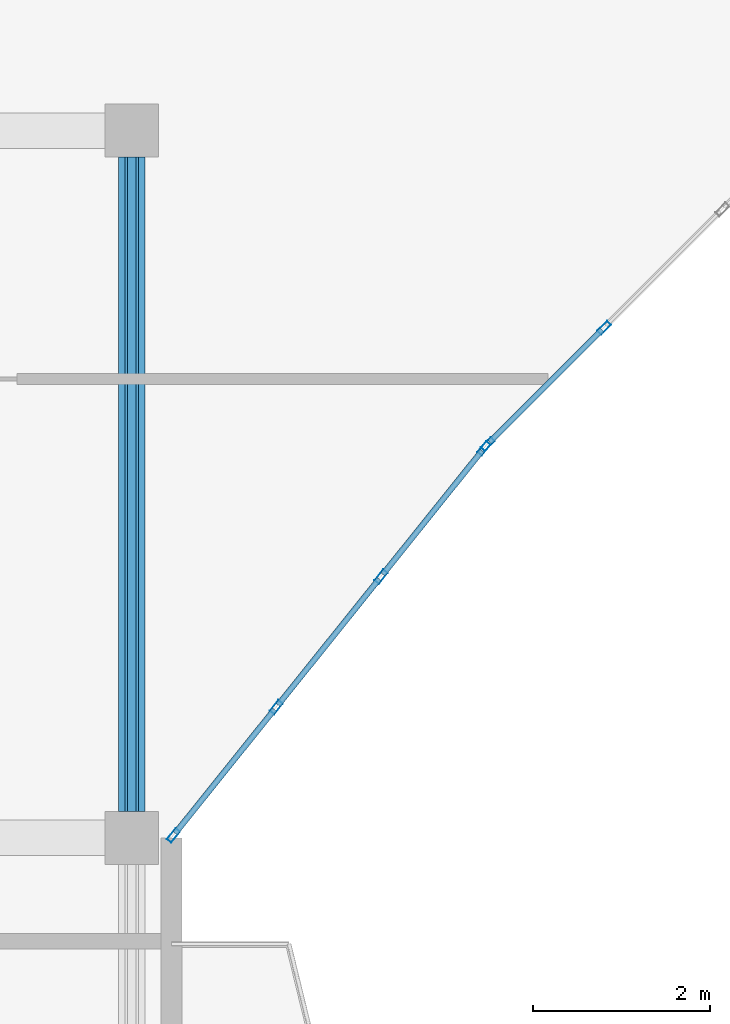
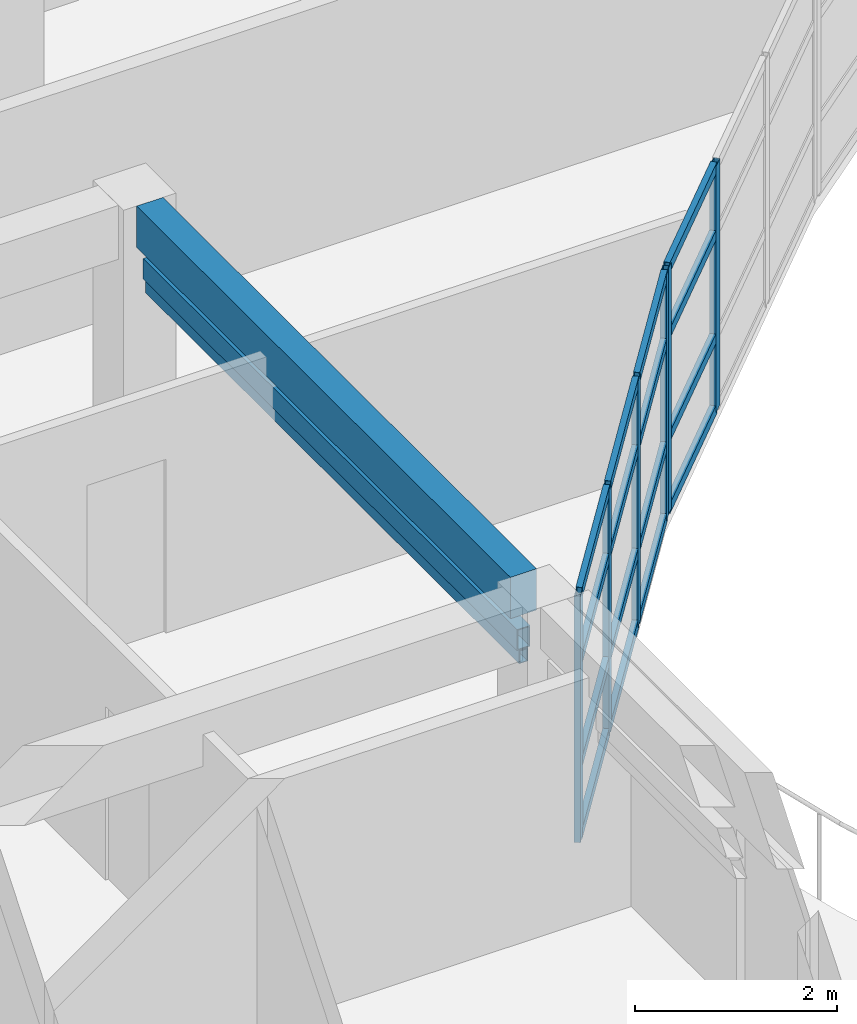
# One storey, part 6 of 71: 24 members, 1 beam, 2 elements without a shape of their own.
"""IFC4 building model written with IfcOpenShell, lengths in metres."""

from ifc_helpers import new_model, si_unit, direction, frame, origin, origin_2d, place, context, subcontext, project, spatial, rectangle, hollow_rectangle, extrude, material, layer, layer_set, material_profile, profile_set, type_object, element, aggregate, save


model = new_model("IFC4")

# Units and contexts
model_context = context("Model", 3, precision=1e-05, world=origin(), true_north=direction((0.0, 1.0)))
body_context = subcontext(model_context, "Body", "Model", "MODEL_VIEW")
ifc_project = project(units=[si_unit("LENGTHUNIT", "METRE"), si_unit("AREAUNIT", "SQUARE_METRE"), si_unit("VOLUMEUNIT", "CUBIC_METRE"), si_unit("PLANEANGLEUNIT", "RADIAN"), si_unit("MASSUNIT", "GRAM", prefix="KILO")], contexts=[model_context])

# Site, building, storey
site_placement = place(None, origin())
site = spatial("IfcSite", under=ifc_project, at=site_placement, CompositionType="ELEMENT")
building_placement = place(site_placement, origin())
building = spatial("IfcBuilding", under=site, at=building_placement, Name="Keldmere Railside Commons", CompositionType="ELEMENT")
storey_placement = place(building_placement, frame((0.0, 0.0, 20.159912109375)))
storey = spatial("IfcBuildingStorey", under=building, at=storey_placement, Name="L06", CompositionType="ELEMENT", Elevation=20.159912109375)

# Member
ifc_material_1 = material(Name="Steel F-36 (S355)", Category="steel")
ifc_material_profile_1 = material_profile(ifc_material_1, hollow_rectangle(XDim=0.14990234375, YDim=0.25, WallThickness=0.010009765625, at=origin_2d()), Name="RHS-250x150x10")
ifc_profile_set_1 = profile_set([ifc_material_profile_1], Name="Steel F-36 (S355)")
member_type_1 = type_object("IfcMemberType", Name="Balcony Continuous Planted Trough RHS250x150", PredefinedType="CHORD", material=ifc_profile_set_1)
member_1_placement = place(storey_placement, frame((63.550048828125, 88.300048828125, 2.4150390625), z_axis=(0.0, 1.0, 0.0), x_axis=(-1.0, 0.0, 0.0)))
element("IfcMember", 1, at=member_1_placement, inside=storey, type_object=member_type_1, Name="PLT-1 MEM-BPLT-0721", PredefinedType="CHORD", context=body_context, shape_type="SweptSolid", body=[
    extrude(hollow_rectangle(XDim=0.14990234375, YDim=0.25, WallThickness=0.010009765625, at=origin_2d()), origin(), (0.0, 0.0, 1.0), 7.39990234375),
])

# Beam
ifc_material_2 = material(Name="Concrete H-30 (C30/37)", Category="concrete")
ifc_material_profile_2 = material_profile(ifc_material_2, rectangle(XDim=0.300048828125, YDim=0.5, at=origin_2d()), Name="RC-300x500")
ifc_profile_set_2 = profile_set([ifc_material_profile_2], Name="Concrete H-30 (C30/37)")
beam_type = type_object("IfcBeamType", Name="Secondary Frame RC Beam 300x500", PredefinedType="BEAM", material=ifc_profile_set_2)
beam_placement = place(storey_placement, frame((63.550048828125, 88.300048828125, 2.9501953125), z_axis=(0.0, 1.0, 0.0), x_axis=(-1.0, 0.0, 0.0)))
element("IfcBeam", 2, at=beam_placement, inside=storey, type_object=beam_type, Name="BG-5 BM-L06-1967", PredefinedType="BEAM", context=body_context, shape_type="SweptSolid", body=[
    extrude(rectangle(XDim=0.300048828125, YDim=0.5, at=origin_2d()), origin(), (0.0, 0.0, 1.0), 7.39990234375),
])

# Member
ifc_material_profile_3 = material_profile(ifc_material_1, hollow_rectangle(XDim=0.10009765625, YDim=0.159912109375, WallThickness=0.008056640625, at=origin_2d()), Name="RHS-160x100x8")
ifc_profile_set_3 = profile_set([ifc_material_profile_3], Name="Steel F-36 (S355)")
member_type_2 = type_object("IfcMemberType", Name="Solar Brise-Soleil Louvre Fin RHS160x100", PredefinedType="STRUT", material=ifc_profile_set_3)
member_2_placement = place(storey_placement, frame((63.550048828125, 88.300048828125, 2.2001953125), z_axis=(0.0, 1.0, 0.0), x_axis=(-1.0, 0.0, 0.0)))
element("IfcMember", 3, at=member_2_placement, inside=storey, type_object=member_type_2, Name="BSF-1 MEM-BSF-0722", PredefinedType="STRUT", context=body_context, shape_type="SweptSolid", body=[
    extrude(hollow_rectangle(XDim=0.10009765625, YDim=0.159912109375, WallThickness=0.008056640625, at=origin_2d()), origin(), (0.0, 0.0, 1.0), 7.39990234375),
])

# Curtain wall, members
ifc_material_3 = material(Name="Thermally Broken Aluminium", Category="aluminium")
ifc_layer_1 = layer(ifc_material_3, 0.159912109375, Name="Court Chord Wintergarden CW 4800x2850")
ifc_layer_set_1 = layer_set([ifc_layer_1], Name="Thermally Broken Aluminium")
curtain_wall_type_1 = type_object("IfcCurtainWallType", Name="Court Chord Wintergarden CW 4800x2850", PredefinedType="NOTDEFINED", material=ifc_layer_set_1)
curtain_wall_1_placement = place(storey_placement, origin())
curtain_wall_1 = element("IfcCurtainWall", 4, at=curtain_wall_1_placement, inside=storey, type_object=curtain_wall_type_1, Name="CW-12 CW-L06-061", PredefinedType="NOTDEFINED")
ifc_material_profile_4 = material_profile(ifc_material_3, hollow_rectangle(XDim=0.06494140625, YDim=0.159912109375, WallThickness=0.00390625, at=origin_2d()), Name="ALU-MULL-65x160")
ifc_profile_set_4 = profile_set([ifc_material_profile_4], Name="Thermally Broken Aluminium")
member_type_3 = type_object("IfcMemberType", Name="Unitised Curtain Wall Mullion 65x160", PredefinedType="MULLION", material=ifc_profile_set_4)
member_3_placement = place(storey_placement, frame((67.53369140625, 92.404541015625, 0.0), z_axis=(0.0, 0.0, 1.0), x_axis=(0.780009172323, -0.625768080915, 0.0)))
member_3 = element("IfcMember", 5, at=member_3_placement, type_object=member_type_3, Name="CW-12 mullion 1", PredefinedType="MULLION", context=body_context, shape_type="SweptSolid", body=[
    extrude(hollow_rectangle(XDim=0.06494140625, YDim=0.159912109375, WallThickness=0.00390625, at=origin_2d()), origin(), (0.0, 0.0, 1.0), 2.97998046875),
])
member_4_placement = place(storey_placement, frame((66.369384765625, 90.953369140625, 0.0), z_axis=(0.0, 0.0, 1.0), x_axis=(0.780009172323, -0.625768080915, 0.0)))
member_4 = element("IfcMember", 6, at=member_4_placement, type_object=member_type_3, Name="CW-12 mullion 2", PredefinedType="MULLION", context=body_context, shape_type="SweptSolid", body=[
    extrude(hollow_rectangle(XDim=0.06494140625, YDim=0.159912109375, WallThickness=0.00390625, at=origin_2d()), origin(), (0.0, 0.0, 1.0), 2.97998046875),
])
member_5_placement = place(storey_placement, frame((65.1845703125, 89.4765625, 0.0), z_axis=(0.0, 0.0, 1.0), x_axis=(0.780009172323, -0.625768080915, 0.0)))
member_5 = element("IfcMember", 7, at=member_5_placement, type_object=member_type_3, Name="CW-12 mullion 3", PredefinedType="MULLION", context=body_context, shape_type="SweptSolid", body=[
    extrude(hollow_rectangle(XDim=0.06494140625, YDim=0.159912109375, WallThickness=0.00390625, at=origin_2d()), origin(), (0.0, 0.0, 1.0), 2.97998046875),
])
member_6_placement = place(storey_placement, frame((64.020263671875, 88.025390625, 0.0), z_axis=(0.0, 0.0, 1.0), x_axis=(0.780009172323, -0.625768080915, 0.0)))
member_6 = element("IfcMember", 8, at=member_6_placement, type_object=member_type_3, Name="CW-12 mullion 4", PredefinedType="MULLION", context=body_context, shape_type="SweptSolid", body=[
    extrude(hollow_rectangle(XDim=0.06494140625, YDim=0.159912109375, WallThickness=0.00390625, at=origin_2d()), origin(), (0.0, 0.0, 1.0), 2.97998046875),
])

ifc_layer_2 = layer(ifc_material_3, 0.159912109375, Name="Court Chord Wintergarden CW 5400x2850")
ifc_layer_set_2 = layer_set([ifc_layer_2], Name="Thermally Broken Aluminium")
curtain_wall_type_2 = type_object("IfcCurtainWallType", Name="Court Chord Wintergarden CW 5400x2850", PredefinedType="NOTDEFINED", material=ifc_layer_set_2)
curtain_wall_2_placement = place(storey_placement, origin())
curtain_wall_2 = element("IfcCurtainWall", 9, at=curtain_wall_2_placement, inside=storey, type_object=curtain_wall_type_2, Name="CW-13 CW-L06-062", PredefinedType="NOTDEFINED")
member_7_placement = place(storey_placement, frame((68.892578125, 93.7685546875, 0.0), z_axis=(0.0, 0.0, 1.0), x_axis=(0.707106781187, -0.707106781187, 0.0)))
member_7 = element("IfcMember", 10, at=member_7_placement, type_object=member_type_3, Name="CW-13 mullion 3", PredefinedType="MULLION", context=body_context, shape_type="SweptSolid", body=[
    extrude(hollow_rectangle(XDim=0.06494140625, YDim=0.159912109375, WallThickness=0.00390625, at=origin_2d()), origin(), (0.0, 0.0, 1.0), 2.97998046875),
])
member_8_placement = place(storey_placement, frame((67.576904296875, 92.452880859375, 0.0), z_axis=(0.0, 0.0, 1.0), x_axis=(0.707106781187, -0.707106781187, 0.0)))
member_8 = element("IfcMember", 11, at=member_8_placement, type_object=member_type_3, Name="CW-13 mullion 4", PredefinedType="MULLION", context=body_context, shape_type="SweptSolid", body=[
    extrude(hollow_rectangle(XDim=0.06494140625, YDim=0.159912109375, WallThickness=0.00390625, at=origin_2d()), origin(), (0.0, 0.0, 1.0), 2.97998046875),
])

# Member
ifc_material_profile_5 = material_profile(ifc_material_3, hollow_rectangle(XDim=0.06494140625, YDim=0.1201171875, WallThickness=0.00390625, at=origin_2d()), Name="ALU-TRAN-65x120")
ifc_profile_set_5 = profile_set([ifc_material_profile_5], Name="Thermally Broken Aluminium")
member_type_4 = type_object("IfcMemberType", Name="Unitised Curtain Wall Transom 65x120", PredefinedType="USERDEFINED", material=ifc_profile_set_5)
member_9_placement = place(storey_placement, frame((67.513427734375, 92.37939453125, 0.032470703125), z_axis=(-0.625805275091, -0.779979331565, 0.0), x_axis=(0.779979331565, -0.625805275091, 0.0)))
member_9 = element("IfcMember", 12, at=member_9_placement, type_object=member_type_4, Name="CW-12 transom 1.1", ObjectType="TRANSOM", PredefinedType="USERDEFINED", context=body_context, shape_type="SweptSolid", body=[
    extrude(hollow_rectangle(XDim=0.06494140625, YDim=0.1201171875, WallThickness=0.00390625, at=origin_2d()), origin(), (0.0, 0.0, 1.0), 1.795654296875),
])

member_10_placement = place(storey_placement, frame((67.513427734375, 92.37939453125, 0.900146484375), z_axis=(-0.625805275091, -0.779979331565, 0.0), x_axis=(0.779979331565, -0.625805275091, 0.0)))
member_10 = element("IfcMember", 13, at=member_10_placement, type_object=member_type_4, Name="CW-12 transom 1.2", ObjectType="TRANSOM", PredefinedType="USERDEFINED", context=body_context, shape_type="SweptSolid", body=[
    extrude(hollow_rectangle(XDim=0.06494140625, YDim=0.1201171875, WallThickness=0.00390625, at=origin_2d()), origin(), (0.0, 0.0, 1.0), 1.795654296875),
])

member_11_placement = place(storey_placement, frame((67.513427734375, 92.37939453125, 2.150146484375), z_axis=(-0.625805275091, -0.779979331565, 0.0), x_axis=(0.779979331565, -0.625805275091, 0.0)))
member_11 = element("IfcMember", 14, at=member_11_placement, type_object=member_type_4, Name="CW-12 transom 1.3", ObjectType="TRANSOM", PredefinedType="USERDEFINED", context=body_context, shape_type="SweptSolid", body=[
    extrude(hollow_rectangle(XDim=0.06494140625, YDim=0.1201171875, WallThickness=0.00390625, at=origin_2d()), origin(), (0.0, 0.0, 1.0), 1.795654296875),
])

member_12_placement = place(storey_placement, frame((67.513427734375, 92.37939453125, 2.947509765625), z_axis=(-0.625805275091, -0.779979331565, 0.0), x_axis=(0.779979331565, -0.625805275091, 0.0)))
member_12 = element("IfcMember", 15, at=member_12_placement, type_object=member_type_4, Name="CW-12 transom 1.4", ObjectType="TRANSOM", PredefinedType="USERDEFINED", context=body_context, shape_type="SweptSolid", body=[
    extrude(hollow_rectangle(XDim=0.06494140625, YDim=0.1201171875, WallThickness=0.00390625, at=origin_2d()), origin(), (0.0, 0.0, 1.0), 1.795654296875),
])

member_13_placement = place(storey_placement, frame((66.348876953125, 90.927978515625, 0.032470703125), z_axis=(-0.625688033635, -0.78007338409, 0.0), x_axis=(0.78007338409, -0.625688033635, 0.0)))
member_13 = element("IfcMember", 16, at=member_13_placement, type_object=member_type_4, Name="CW-12 transom 2.1", ObjectType="TRANSOM", PredefinedType="USERDEFINED", context=body_context, shape_type="SweptSolid", body=[
    extrude(hollow_rectangle(XDim=0.06494140625, YDim=0.1201171875, WallThickness=0.00390625, at=origin_2d()), origin(), (0.0, 0.0, 1.0), 1.828125),
])

member_14_placement = place(storey_placement, frame((66.348876953125, 90.927978515625, 0.900146484375), z_axis=(-0.625688033635, -0.78007338409, 0.0), x_axis=(0.78007338409, -0.625688033635, 0.0)))
member_14 = element("IfcMember", 17, at=member_14_placement, type_object=member_type_4, Name="CW-12 transom 2.2", ObjectType="TRANSOM", PredefinedType="USERDEFINED", context=body_context, shape_type="SweptSolid", body=[
    extrude(hollow_rectangle(XDim=0.06494140625, YDim=0.1201171875, WallThickness=0.00390625, at=origin_2d()), origin(), (0.0, 0.0, 1.0), 1.828125),
])

member_15_placement = place(storey_placement, frame((66.348876953125, 90.927978515625, 2.150146484375), z_axis=(-0.625688033635, -0.78007338409, 0.0), x_axis=(0.78007338409, -0.625688033635, 0.0)))
member_15 = element("IfcMember", 18, at=member_15_placement, type_object=member_type_4, Name="CW-12 transom 2.3", ObjectType="TRANSOM", PredefinedType="USERDEFINED", context=body_context, shape_type="SweptSolid", body=[
    extrude(hollow_rectangle(XDim=0.06494140625, YDim=0.1201171875, WallThickness=0.00390625, at=origin_2d()), origin(), (0.0, 0.0, 1.0), 1.828125),
])

member_16_placement = place(storey_placement, frame((66.348876953125, 90.927978515625, 2.947509765625), z_axis=(-0.625688033635, -0.78007338409, 0.0), x_axis=(0.78007338409, -0.625688033635, 0.0)))
member_16 = element("IfcMember", 19, at=member_16_placement, type_object=member_type_4, Name="CW-12 transom 2.4", ObjectType="TRANSOM", PredefinedType="USERDEFINED", context=body_context, shape_type="SweptSolid", body=[
    extrude(hollow_rectangle(XDim=0.06494140625, YDim=0.1201171875, WallThickness=0.00390625, at=origin_2d()), origin(), (0.0, 0.0, 1.0), 1.828125),
])

member_17_placement = place(storey_placement, frame((65.164306640625, 89.451416015625, 0.032470703125), z_axis=(-0.625722553313, -0.780045694992, 0.0), x_axis=(0.780045694992, -0.625722553313, 0.0)))
member_17 = element("IfcMember", 20, at=member_17_placement, type_object=member_type_4, Name="CW-12 transom 3.1", ObjectType="TRANSOM", PredefinedType="USERDEFINED", context=body_context, shape_type="SweptSolid", body=[
    extrude(hollow_rectangle(XDim=0.06494140625, YDim=0.1201171875, WallThickness=0.00390625, at=origin_2d()), origin(), (0.0, 0.0, 1.0), 1.795654296875),
])

member_18_placement = place(storey_placement, frame((65.164306640625, 89.451416015625, 0.900146484375), z_axis=(-0.625722553313, -0.780045694992, 0.0), x_axis=(0.780045694992, -0.625722553313, 0.0)))
member_18 = element("IfcMember", 21, at=member_18_placement, type_object=member_type_4, Name="CW-12 transom 3.2", ObjectType="TRANSOM", PredefinedType="USERDEFINED", context=body_context, shape_type="SweptSolid", body=[
    extrude(hollow_rectangle(XDim=0.06494140625, YDim=0.1201171875, WallThickness=0.00390625, at=origin_2d()), origin(), (0.0, 0.0, 1.0), 1.795654296875),
])

member_19_placement = place(storey_placement, frame((65.164306640625, 89.451416015625, 2.150146484375), z_axis=(-0.625722553313, -0.780045694992, 0.0), x_axis=(0.780045694992, -0.625722553313, 0.0)))
member_19 = element("IfcMember", 22, at=member_19_placement, type_object=member_type_4, Name="CW-12 transom 3.3", ObjectType="TRANSOM", PredefinedType="USERDEFINED", context=body_context, shape_type="SweptSolid", body=[
    extrude(hollow_rectangle(XDim=0.06494140625, YDim=0.1201171875, WallThickness=0.00390625, at=origin_2d()), origin(), (0.0, 0.0, 1.0), 1.795654296875),
])

member_20_placement = place(storey_placement, frame((65.164306640625, 89.451416015625, 2.947509765625), z_axis=(-0.625722553313, -0.780045694992, 0.0), x_axis=(0.780045694992, -0.625722553313, 0.0)))
member_20 = element("IfcMember", 23, at=member_20_placement, type_object=member_type_4, Name="CW-12 transom 3.4", ObjectType="TRANSOM", PredefinedType="USERDEFINED", context=body_context, shape_type="SweptSolid", body=[
    extrude(hollow_rectangle(XDim=0.06494140625, YDim=0.1201171875, WallThickness=0.00390625, at=origin_2d()), origin(), (0.0, 0.0, 1.0), 1.795654296875),
])

aggregate(curtain_wall_1, [member_3, member_4, member_5, member_6, member_9, member_10, member_11, member_12, member_13, member_14, member_15, member_16, member_17, member_18, member_19, member_20])

member_21_placement = place(storey_placement, frame((68.86962890625, 93.74560546875, 0.032470703125), z_axis=(-0.707174762418, -0.707038793419, 0.0), x_axis=(0.707038793419, -0.707174762418, 0.0)))
member_21 = element("IfcMember", 24, at=member_21_placement, type_object=member_type_4, Name="CW-13 transom 3.1", ObjectType="TRANSOM", PredefinedType="USERDEFINED", context=body_context, shape_type="SweptSolid", body=[
    extrude(hollow_rectangle(XDim=0.06494140625, YDim=0.1201171875, WallThickness=0.00390625, at=origin_2d()), origin(), (0.0, 0.0, 1.0), 1.795654296875),
])

member_22_placement = place(storey_placement, frame((68.86962890625, 93.74560546875, 0.900146484375), z_axis=(-0.707174762418, -0.707038793419, 0.0), x_axis=(0.707038793419, -0.707174762418, 0.0)))
member_22 = element("IfcMember", 25, at=member_22_placement, type_object=member_type_4, Name="CW-13 transom 3.2", ObjectType="TRANSOM", PredefinedType="USERDEFINED", context=body_context, shape_type="SweptSolid", body=[
    extrude(hollow_rectangle(XDim=0.06494140625, YDim=0.1201171875, WallThickness=0.00390625, at=origin_2d()), origin(), (0.0, 0.0, 1.0), 1.795654296875),
])

member_23_placement = place(storey_placement, frame((68.86962890625, 93.74560546875, 2.150146484375), z_axis=(-0.707174762418, -0.707038793419, 0.0), x_axis=(0.707038793419, -0.707174762418, 0.0)))
member_23 = element("IfcMember", 26, at=member_23_placement, type_object=member_type_4, Name="CW-13 transom 3.3", ObjectType="TRANSOM", PredefinedType="USERDEFINED", context=body_context, shape_type="SweptSolid", body=[
    extrude(hollow_rectangle(XDim=0.06494140625, YDim=0.1201171875, WallThickness=0.00390625, at=origin_2d()), origin(), (0.0, 0.0, 1.0), 1.795654296875),
])

member_24_placement = place(storey_placement, frame((68.86962890625, 93.74560546875, 2.947509765625), z_axis=(-0.707174762418, -0.707038793419, 0.0), x_axis=(0.707038793419, -0.707174762418, 0.0)))
member_24 = element("IfcMember", 27, at=member_24_placement, type_object=member_type_4, Name="CW-13 transom 3.4", ObjectType="TRANSOM", PredefinedType="USERDEFINED", context=body_context, shape_type="SweptSolid", body=[
    extrude(hollow_rectangle(XDim=0.06494140625, YDim=0.1201171875, WallThickness=0.00390625, at=origin_2d()), origin(), (0.0, 0.0, 1.0), 1.795654296875),
])

aggregate(curtain_wall_2, [member_7, member_8, member_21, member_22, member_23, member_24])

save(model, "model.ifc")
